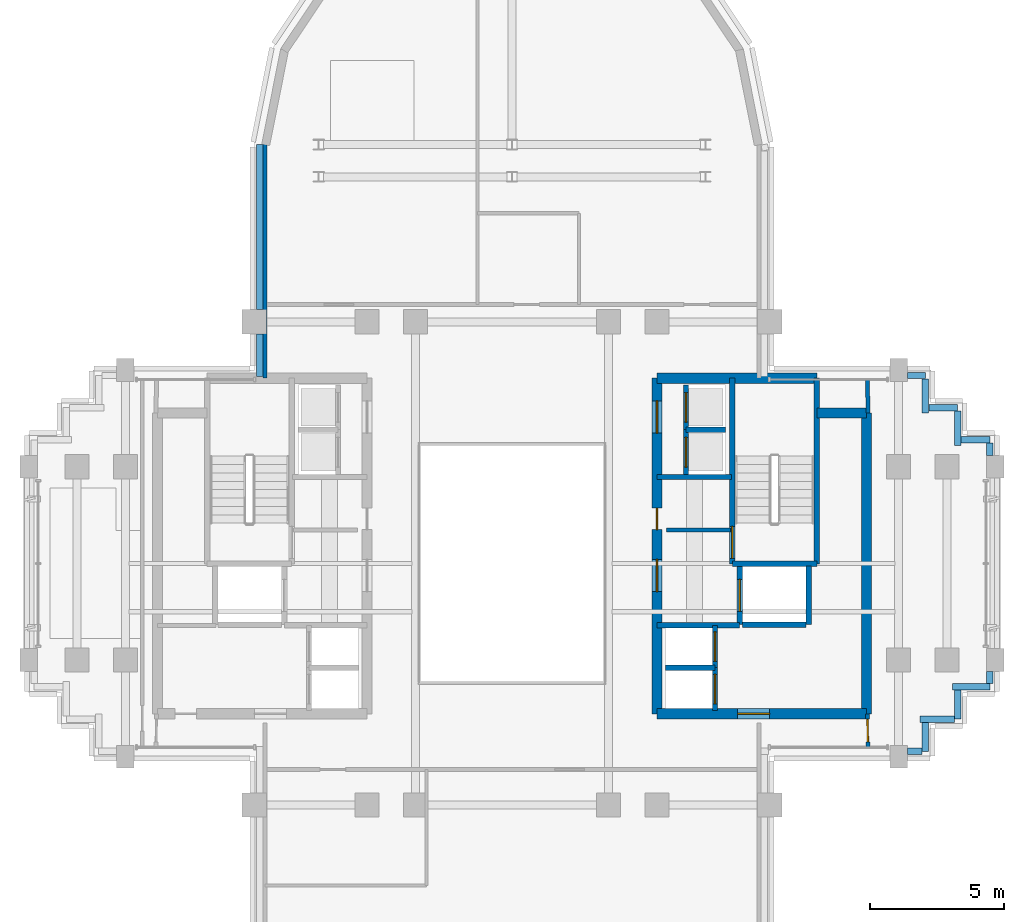
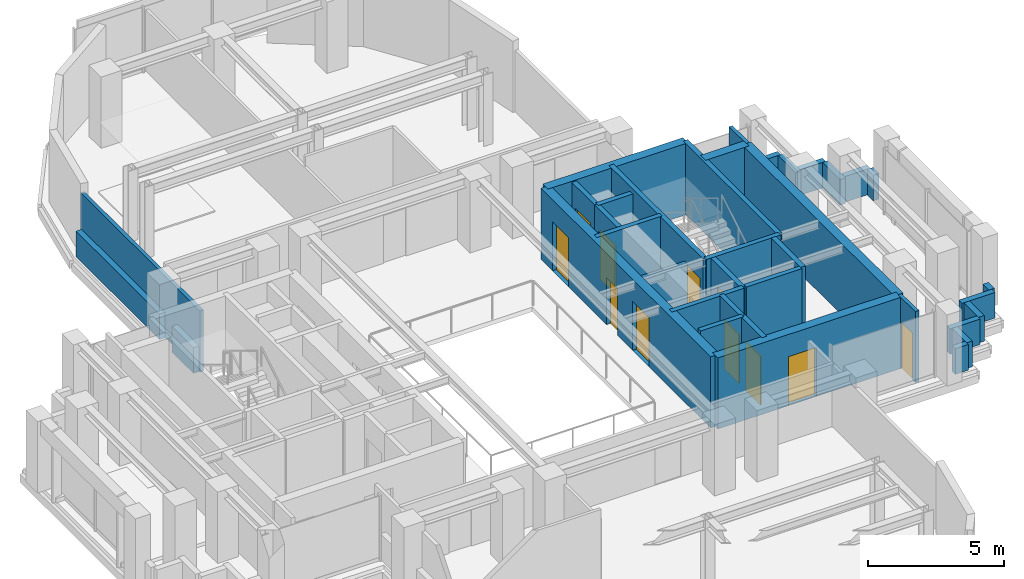
# One storey, part 7 of 12: 37 walls, 11 doors, 11 openings.
"""IFC4 building model written with IfcOpenShell, lengths in metres."""

import ifcopenshell
import ifcopenshell.guid

model = None  # the IFC model being written
_history = None  # IfcOwnerHistory: only IFC2X3 demands one
_inside = {}  # id of a spatial element -> (the spatial element, [elements in it])
_under = {}  # id of a project, library or spatial element -> (it, [spatial elements below it])
_declared = {}  # id of a project -> (the project, [libraries it declares])
_typed = {}  # id of a type object -> (the type object, [elements of that type])
_made_of = {}  # id of a material, layer set ... -> (it, [elements and type objects made of it])


def new_model(schema):
    """Start an empty IFC model of exactly this schema.

    Asked for "IFC4X3", IfcOpenShell would pick the latest addendum, in which some entities
    have other attributes; the version numbers below select the first issue.
    IFC2X3 requires an IfcOwnerHistory on every rooted entity: one is made here for all.
    """
    global model, _history
    if schema == "IFC4X3":
        model = ifcopenshell.file(schema_version=(4, 3, 0, 0))
    else:
        model = ifcopenshell.file(schema=schema)
    _inside.clear()
    _under.clear()
    _declared.clear()
    _typed.clear()
    _made_of.clear()
    _history = None
    if model.schema == "IFC2X3":
        org = make("IfcOrganization", Name="unknown")
        user = make(
            "IfcPersonAndOrganization",
            ThePerson=make("IfcPerson", FamilyName="unknown"),
            TheOrganization=org,
        )
        app = make(
            "IfcApplication",
            ApplicationDeveloper=org,
            Version="unknown",
            ApplicationFullName="unknown",
            ApplicationIdentifier="unknown",
        )
        _history = make(
            "IfcOwnerHistory",
            OwningUser=user,
            OwningApplication=app,
            ChangeAction="ADDED",
            CreationDate=0,
        )
    return model


def make(cls, **values):
    """One entity of the class cls with the attributes given. An attribute that is None is left unset."""
    return model.create_entity(
        cls, **{name: value for name, value in values.items() if value is not None}
    )


def rooted(cls, **values):
    """An entity with a GlobalId (a new one), such as an element, a storey or a relation."""
    return make(cls, GlobalId=ifcopenshell.guid.new(), OwnerHistory=_history, **values)


def si_unit(unit_type, name, prefix=None):
    """IfcSIUnit, for example si_unit("LENGTHUNIT", "METRE", prefix="MILLI")."""
    return make("IfcSIUnit", UnitType=unit_type, Prefix=prefix, Name=name)


def assignment(units):
    """IfcUnitAssignment: the units of a project."""
    return None if units is None else make("IfcUnitAssignment", Units=units)


def point(xyz):
    """IfcCartesianPoint."""
    return None if xyz is None else make("IfcCartesianPoint", Coordinates=xyz)


def direction(xyz):
    """IfcDirection."""
    return None if xyz is None else make("IfcDirection", DirectionRatios=xyz)


def frame(location, z_axis=None, x_axis=None):
    """IfcAxis2Placement3D, a coordinate frame: its origin and axes. An axis left out is left unset."""
    return make(
        "IfcAxis2Placement3D",
        Location=point(location),
        Axis=direction(z_axis),
        RefDirection=direction(x_axis),
    )


def frame_2d(location, x_axis=None):
    """IfcAxis2Placement2D, a coordinate frame in the plane: its origin and x axis."""
    return make(
        "IfcAxis2Placement2D", Location=point(location), RefDirection=direction(x_axis)
    )


def origin():
    """The frame at (0, 0, 0) with its axes left unset."""
    return frame((0.0, 0.0, 0.0))


def place(relative_to, where):
    """IfcLocalPlacement: puts the frame where relative to a parent placement (None: the world)."""
    return make(
        "IfcLocalPlacement", PlacementRelTo=relative_to, RelativePlacement=where
    )


def context(
    kind, dimensions, precision=None, world=None, true_north=None, identifier=None
):
    """IfcGeometricRepresentationContext, for example the 3D "Model" context."""
    return make(
        "IfcGeometricRepresentationContext",
        ContextIdentifier=identifier,
        ContextType=kind,
        CoordinateSpaceDimension=dimensions,
        Precision=precision,
        WorldCoordinateSystem=world,
        TrueNorth=true_north,
    )


def subcontext(parent, identifier, kind, view, scale=None):
    """IfcGeometricRepresentationSubContext, for example "Body" below "Model"."""
    return make(
        "IfcGeometricRepresentationSubContext",
        ContextIdentifier=identifier,
        ContextType=kind,
        ParentContext=parent,
        TargetScale=scale,
        TargetView=view,
    )


def project(units=None, contexts=None):
    """IfcProject with its units and contexts."""
    return rooted(
        "IfcProject",
        Name="project",
        RepresentationContexts=contexts,
        UnitsInContext=assignment(units),
    )


def spatial(cls, under=None, at=None, **own):
    """A site, building, storey or space (cls), placed at a placement, below another one or the project."""
    s = rooted(cls, ObjectPlacement=at, **own)
    if under is not None:
        _under.setdefault(under.id(), (under, []))[1].append(s)
    return s


def profile(cls, at=None, kind="AREA", **sizes):
    """A parametric profile (cls). Its sizes go by their IFC names, for example OverallWidth=200.0."""
    return make(cls, ProfileType=kind, Position=at, **sizes)


def rectangle(**sizes):
    """IfcRectangleProfileDef."""
    return profile("IfcRectangleProfileDef", **sizes)


def extrude(swept, where, along, depth):
    """IfcExtrudedAreaSolid: the profile swept, set in the frame where, extruded along a direction by depth."""
    return make(
        "IfcExtrudedAreaSolid",
        SweptArea=swept,
        Position=where,
        ExtrudedDirection=direction(along),
        Depth=depth,
    )


def shape(context_of_items, identifier, shape_type, items):
    """IfcShapeRepresentation: the items that make up one representation, for example the "Body"."""
    return make(
        "IfcShapeRepresentation",
        ContextOfItems=context_of_items,
        RepresentationIdentifier=identifier,
        RepresentationType=shape_type,
        Items=items,
    )


def source(mapping_origin, context_of_items, identifier, shape_type, items):
    """IfcRepresentationMap: a shape defined once, which mapped items show again and again."""
    return make(
        "IfcRepresentationMap",
        MappingOrigin=mapping_origin,
        MappedRepresentation=shape(context_of_items, identifier, shape_type, items),
    )


def transform(
    local_origin,
    x_axis=None,
    y_axis=None,
    z_axis=None,
    scale=None,
    scale2=None,
    scale3=None,
    uniform=True,
):
    """IfcCartesianTransformationOperator3D, or its non-uniform kind. x_axis, y_axis, z_axis: its Axis1, 2, 3."""
    if uniform:
        return make(
            "IfcCartesianTransformationOperator3D",
            Axis1=direction(x_axis),
            Axis2=direction(y_axis),
            LocalOrigin=point(local_origin),
            Scale=scale,
            Axis3=direction(z_axis),
        )
    return make(
        "IfcCartesianTransformationOperator3DnonUniform",
        Axis1=direction(x_axis),
        Axis2=direction(y_axis),
        LocalOrigin=point(local_origin),
        Scale=scale,
        Axis3=direction(z_axis),
        Scale2=scale2,
        Scale3=scale3,
    )


def mapped(mapping_source, mapping_target):
    """IfcMappedItem: shows the shape of a source again, moved by a transform."""
    return make(
        "IfcMappedItem", MappingSource=mapping_source, MappingTarget=mapping_target
    )


def material(Name=None, Category=None):
    """IfcMaterial."""
    return make("IfcMaterial", Name=Name, Category=Category)


def layer(
    of_material, thickness, ventilated=None, Name=None, Category=None, Priority=None
):
    """IfcMaterialLayer: one layer of a wall or slab, of a material (None: an air gap)."""
    return make(
        "IfcMaterialLayer",
        Material=of_material,
        LayerThickness=thickness,
        IsVentilated=ventilated,
        Name=Name,
        Category=Category,
        Priority=Priority,
    )


def layer_set(layers, Name=None):
    """IfcMaterialLayerSet."""
    return make("IfcMaterialLayerSet", MaterialLayers=layers, LayerSetName=Name)


def made_of(thing, what):
    """Note that an element or type object is made of a material, layer set ...; save() writes the relation."""
    if what is not None:
        _made_of.setdefault(what.id(), (what, []))[1].append(thing)
    return thing


def type_object(cls, material=None, **own):
    """A type object (cls), such as IfcWallType, which elements share."""
    return made_of(rooted(cls, **own), material)


def element(
    cls,
    number,
    at=None,
    inside=None,
    cuts=None,
    type_object=None,
    material=None,
    context=None,
    identifier="Body",
    shape_type=None,
    held_by="IfcProductDefinitionShape",
    body=None,
    shapes=None,
    **own,
):
    """One element of the class cls, such as IfcWall. Its Tag is "e" and its number.

    at: its placement. inside: the storey or other place that contains it. cuts: it is an
    opening in that element (IfcRelVoidsElement). A single representation is given by context,
    identifier, shape_type and body (its items); several are given by shapes. held_by: the class
    of the entity that holds the representations. save() writes the other relations.
    """
    e = rooted(cls, Tag="e%d" % number, ObjectPlacement=at, **own)
    if body is not None:
        shapes = [shape(context, identifier, shape_type, body)]
    if shapes is not None:
        e.Representation = make(held_by, Representations=shapes)
    if inside is not None:
        _inside.setdefault(inside.id(), (inside, []))[1].append(e)
    if cuts is not None:
        rooted(
            "IfcRelVoidsElement", RelatingBuildingElement=cuts, RelatedOpeningElement=e
        )
    if type_object is not None:
        _typed.setdefault(type_object.id(), (type_object, []))[1].append(e)
    return made_of(e, material)


def fill(opening, filler):
    """IfcRelFillsElement: the door or window that sits in an opening."""
    return rooted(
        "IfcRelFillsElement",
        RelatingOpeningElement=opening,
        RelatedBuildingElement=filler,
    )


def aggregate(whole, parts):
    """IfcRelAggregates: a whole, such as a stair, and the parts it consists of."""
    return rooted("IfcRelAggregates", RelatingObject=whole, RelatedObjects=parts)


def save(model, path):
    """Write the relations noted so far, then the file.

    IfcRelAggregates (storeys below a building ...), IfcRelContainedInSpatialStructure (elements
    in a storey), IfcRelDefinesByType, IfcRelAssociatesMaterial and IfcRelDeclares: one each for
    every whole, place, type object, material and project.
    """
    for whole, parts in _under.values():
        aggregate(whole, parts)
    for where, things in _inside.values():
        rooted(
            "IfcRelContainedInSpatialStructure",
            RelatedElements=things,
            RelatingStructure=where,
        )
    for kind, things in _typed.values():
        rooted("IfcRelDefinesByType", RelatedObjects=things, RelatingType=kind)
    for what, things in _made_of.values():
        rooted("IfcRelAssociatesMaterial", RelatedObjects=things, RelatingMaterial=what)
    for by, libraries in _declared.values():
        rooted("IfcRelDeclares", RelatingContext=by, RelatedDefinitions=libraries)
    model.write(path)


model = new_model("IFC4")

# Units and contexts
model_context = context("Model", 3, precision=1e-05, world=origin(), true_north=direction((0.0, 1.0)))
body_context = subcontext(model_context, "Body", "Model", "MODEL_VIEW")
ifc_project = project(units=[si_unit("LENGTHUNIT", "METRE"), si_unit("AREAUNIT", "SQUARE_METRE"), si_unit("VOLUMEUNIT", "CUBIC_METRE"), si_unit("PLANEANGLEUNIT", "RADIAN"), si_unit("MASSUNIT", "GRAM", prefix="KILO")], contexts=[model_context])

# Site, building, storey
site_placement = place(None, origin())
site = spatial("IfcSite", under=ifc_project, at=site_placement, CompositionType="ELEMENT")
building_placement = place(site_placement, origin())
building = spatial("IfcBuilding", under=site, at=building_placement, Name="Keilestroom Media Tower", CompositionType="ELEMENT")
storey_placement = place(building_placement, frame((0.0, 0.0, 177.39990234375)))
storey = spatial("IfcBuildingStorey", under=building, at=storey_placement, Name="L48", CompositionType="ELEMENT", Elevation=177.39990234375)

# Walls
ifc_material_1 = material(Name="Gypsum Plasterboard & Steel Stud", Category="steel")
ifc_layer_1 = layer(ifc_material_1, 0.14990234375)
ifc_layer_set_1 = layer_set([ifc_layer_1], Name="Gypsum Plasterboard & Steel Stud")
wall_type_1 = type_object("IfcWallType", Name="Interior-Partition-Wall-150", PredefinedType="PARTITIONING", material=ifc_layer_set_1)
wall_1_placement = place(storey_placement, frame((5.75, 1.239990234375, 0.0), z_axis=(0.0, 0.0, 1.0), x_axis=(1.0, 0.0, 0.0)))
element("IfcWall", 1, at=wall_1_placement, inside=storey, type_object=wall_type_1, Name="L48 Interior Wall WP-L48-FFE-TOP", PredefinedType="PARTITIONING", context=body_context, shape_type="SweptSolid", body=[
    extrude(rectangle(XDim=2.389892578125, YDim=0.14990234375, at=frame_2d((1.19482421875, 0.0))), origin(), (0.0, 0.0, 1.0), 2.300048828125),
])
wall_2_placement = place(storey_placement, frame((-9.199951171875, 6.89990234375, 0.0), z_axis=(0.0, 0.0, 1.0), x_axis=(0.0, 1.0, 0.0)))
element("IfcWall", 2, at=wall_2_placement, inside=storey, type_object=wall_type_1, Name="L48 Interior Wall WP-L48-NL-CHKW", PredefinedType="PARTITIONING", context=body_context, shape_type="SweptSolid", body=[
    extrude(rectangle(XDim=8.780029296875, YDim=0.14990234375, at=frame_2d((4.39013671875, 0.0))), origin(), (0.0, 0.0, 1.0), 2.75),
])
wall_3_placement = place(storey_placement, frame((13.260009765625, 5.60009765625, 0.0), z_axis=(0.0, 0.0, 1.0), x_axis=(-0.016013571389, 0.999871774545, 0.0)))
element("IfcWall", 3, at=wall_3_placement, inside=storey, type_object=wall_type_1, Name="L48 Interior Wall WP-L48-EA-ENTN", PredefinedType="PARTITIONING", context=body_context, shape_type="SweptSolid", body=[
    extrude(rectangle(XDim=1.250244140625, YDim=0.14990234375, at=frame_2d((0.625, 0.0))), origin(), (0.0, 0.0, 1.0), 3.2001953125),
])

# Wall, opening, door
wall_4_placement = place(storey_placement, frame((13.260009765625, -6.85009765625, 0.0), z_axis=(0.0, 0.0, 1.0), x_axis=(-0.016013571389, 0.999871774545, 0.0)))
wall_4 = element("IfcWall", 4, at=wall_4_placement, inside=storey, type_object=wall_type_1, Name="L48 Interior Wall WP-L48-EA-ENTS", PredefinedType="PARTITIONING", context=body_context, shape_type="SweptSolid", body=[
    extrude(rectangle(XDim=1.250244140625, YDim=0.14990234375, at=frame_2d((0.625, 0.0))), origin(), (0.0, 0.0, 1.0), 3.2001953125),
])
opening_1_placement = place(wall_4_placement, frame((0.199951171875, 0.0, 0.0)))
opening_1 = element("IfcOpeningElement", 5, at=opening_1_placement, cuts=wall_4, Name="Opening DI-05", PredefinedType="OPENING", context=body_context, shape_type="SweptSolid", body=[
    extrude(rectangle(XDim=0.85009765625, YDim=2.10009765625, at=frame_2d((0.425048828125, 1.050048828125))), frame((0.0, 0.0849609375, 0.0), z_axis=(0.0, -1.0, 0.0), x_axis=(1.0, 0.0, 0.0)), (0.0, 0.0, 1.0), 0.169921875),
])
ifc_material_2 = material(Name="Moisture-Resistant Oak Leaf", Category="wood")
door_type_1 = type_object("IfcDoorType", Name="Interior-En-Suite-And-Cupboard-Door-DI-05", OperationType="NOTDEFINED", PredefinedType="DOOR", material=ifc_material_2)
shared_shape_1 = source(origin(), body_context, "Body", "SweptSolid", [
    extrude(rectangle(XDim=0.85009765625, YDim=2.10009765625, at=frame_2d((0.425048828125, 1.050048828125))), frame((0.0, 0.02490234375, 0.0), z_axis=(0.0, -1.0, 0.0), x_axis=(1.0, 0.0, 0.0)), (0.0, 0.0, 1.0), 0.050048828125),
])
door_1_placement = place(opening_1_placement, origin())
door_1 = element("IfcDoor", 6, at=door_1_placement, inside=storey, type_object=door_type_1, Name="L48 Interior Door DI-L48-DEA-S", OperationType="SINGLE_SWING_LEFT", OverallHeight=2.10009765625, OverallWidth=0.85009765625, PredefinedType="DOOR", context=body_context, shape_type="MappedRepresentation", body=[
    mapped(shared_shape_1, transform((0.0, 0.0, 0.0), x_axis=(1.0, 0.0, 0.0), y_axis=(0.0, 1.0, 0.0), z_axis=(0.0, 0.0, 1.0), scale=1.0)),
])
fill(opening_1, door_1)

# Wall
ifc_material_3 = material(Name="Concrete C55/67", Category="concrete")
ifc_layer_2 = layer(ifc_material_3, 0.3798828125)
ifc_layer_set_2 = layer_set([ifc_layer_2], Name="Concrete C55/67")
wall_type_2 = type_object("IfcWallType", Name="Reinforced-Concrete-Core-Shear-Wall-380", PredefinedType="SHEAR", material=ifc_layer_set_2)
wall_5_placement = place(storey_placement, frame((13.199951171875, -5.60009765625, 0.0), z_axis=(0.0, 0.0, 1.0), x_axis=(0.0, 1.0, 0.0)))
element("IfcWall", 7, at=wall_5_placement, inside=storey, type_object=wall_type_2, Name="L48 Core Shear Wall WL-L48-CORE-E-OUT", PredefinedType="SHEAR", context=body_context, shape_type="SweptSolid", body=[
    extrude(rectangle(XDim=11.2001953125, YDim=0.3798828125, at=frame_2d((5.60009765625, 0.0))), origin(), (0.0, 0.0, 1.0), 3.2001953125),
])

# Wall, openings, doors
wall_6_placement = place(storey_placement, frame((5.39990234375, -5.60009765625, 0.0), z_axis=(0.0, 0.0, 1.0), x_axis=(0.0, 1.0, 0.0)))
wall_6 = element("IfcWall", 8, at=wall_6_placement, inside=storey, type_object=wall_type_2, Name="L48 Core Shear Wall WL-L48-CORE-E-IN", PredefinedType="SHEAR", context=body_context, shape_type="SweptSolid", body=[
    extrude(rectangle(XDim=12.5, YDim=0.3798828125, at=frame_2d((6.25, 0.0))), origin(), (0.0, 0.0, 1.0), 3.2001953125),
])
opening_2_placement = place(wall_6_placement, frame((4.550048828125, 0.0, 0.0)))
opening_2 = element("IfcOpeningElement", 9, at=opening_2_placement, cuts=wall_6, Name="Opening DI-02", PredefinedType="OPENING", context=body_context, shape_type="SweptSolid", body=[
    extrude(rectangle(XDim=1.199951171875, YDim=2.199951171875, at=frame_2d((0.60009765625, 1.10009765625))), frame((0.0, 0.199951171875, 0.0), z_axis=(0.0, -1.0, 0.0), x_axis=(1.0, 0.0, 0.0)), (0.0, 0.0, 1.0), 0.39990234375),
])
opening_3_placement = place(wall_6_placement, frame((10.449951171875, 0.0, 0.0)))
opening_3 = element("IfcOpeningElement", 10, at=opening_3_placement, cuts=wall_6, Name="Opening DI-02", PredefinedType="OPENING", context=body_context, shape_type="SweptSolid", body=[
    extrude(rectangle(XDim=1.199951171875, YDim=2.199951171875, at=frame_2d((0.60009765625, 1.10009765625))), frame((0.0, 0.199951171875, 0.0), z_axis=(0.0, -1.0, 0.0), x_axis=(1.0, 0.0, 0.0)), (0.0, 0.0, 1.0), 0.39990234375),
])
opening_4_placement = place(wall_6_placement, frame((6.860107421875, 0.0, 0.0)))
opening_4 = element("IfcOpeningElement", 11, at=opening_4_placement, cuts=wall_6, Name="Opening DI-06", PredefinedType="OPENING", context=body_context, shape_type="SweptSolid", body=[
    extrude(rectangle(XDim=0.800048828125, YDim=2.10009765625, at=frame_2d((0.39990234375, 1.050048828125))), frame((0.0, 0.199951171875, 0.0), z_axis=(0.0, -1.0, 0.0), x_axis=(1.0, 0.0, 0.0)), (0.0, 0.0, 1.0), 0.39990234375),
])
ifc_material_4 = material(Name="Powder-Coated Steel Fire Leaf", Category="steel")
door_type_2 = type_object("IfcDoorType", Name="Interior-Compartment-Fire-Door-DI-02", OperationType="NOTDEFINED", PredefinedType="DOOR", material=ifc_material_4)
shared_shape_2 = source(origin(), body_context, "Body", "SweptSolid", [
    extrude(rectangle(XDim=1.199951171875, YDim=2.199951171875, at=frame_2d((0.60009765625, 1.10009765625))), frame((0.0, 0.02490234375, 0.0), z_axis=(0.0, -1.0, 0.0), x_axis=(1.0, 0.0, 0.0)), (0.0, 0.0, 1.0), 0.050048828125),
])
door_2_placement = place(opening_2_placement, origin())
door_2 = element("IfcDoor", 12, at=door_2_placement, inside=storey, type_object=door_type_2, Name="L48 E Firefighting Lobby Door", OperationType="SINGLE_SWING_LEFT", OverallHeight=2.199951171875, OverallWidth=1.199951171875, PredefinedType="DOOR", context=body_context, shape_type="MappedRepresentation", body=[
    mapped(shared_shape_2, transform((0.0, 0.0, 0.0), x_axis=(1.0, 0.0, 0.0), y_axis=(0.0, 1.0, 0.0), z_axis=(0.0, 0.0, 1.0), scale=1.0)),
])
fill(opening_2, door_2)
door_3_placement = place(opening_3_placement, origin())
door_3 = element("IfcDoor", 13, at=door_3_placement, inside=storey, type_object=door_type_2, Name="L48 E High-Rise Lift Lobby Door", OperationType="SINGLE_SWING_RIGHT", OverallHeight=2.199951171875, OverallWidth=1.199951171875, PredefinedType="DOOR", context=body_context, shape_type="MappedRepresentation", body=[
    mapped(shared_shape_2, transform((0.0, 0.0, 0.0), x_axis=(1.0, 0.0, 0.0), y_axis=(0.0, 1.0, 0.0), z_axis=(0.0, 0.0, 1.0), scale=1.0)),
])
fill(opening_3, door_3)
ifc_material_5 = material(Name="Powder-Coated Steel Service Leaf", Category="steel")
door_type_3 = type_object("IfcDoorType", Name="Interior-Riser-Access-Door-DI-06", OperationType="NOTDEFINED", PredefinedType="DOOR", material=ifc_material_5)
shared_shape_3 = source(origin(), body_context, "Body", "SweptSolid", [
    extrude(rectangle(XDim=0.800048828125, YDim=2.10009765625, at=frame_2d((0.39990234375, 1.050048828125))), frame((0.0, 0.02490234375, 0.0), z_axis=(0.0, -1.0, 0.0), x_axis=(1.0, 0.0, 0.0)), (0.0, 0.0, 1.0), 0.050048828125),
])
door_4_placement = place(opening_4_placement, origin())
door_4 = element("IfcDoor", 14, at=door_4_placement, inside=storey, type_object=door_type_3, Name="L48 East Core Telecom Door", OperationType="SINGLE_SWING_RIGHT", OverallHeight=2.10009765625, OverallWidth=0.800048828125, PredefinedType="DOOR", context=body_context, shape_type="MappedRepresentation", body=[
    mapped(shared_shape_3, transform((0.0, 0.0, 0.0), x_axis=(1.0, 0.0, 0.0), y_axis=(0.0, 1.0, 0.0), z_axis=(0.0, 0.0, 1.0), scale=1.0)),
])
fill(opening_4, door_4)

# Walls
wall_7_placement = place(storey_placement, frame((5.39990234375, 6.89990234375, 0.0), z_axis=(0.0, 0.0, 1.0), x_axis=(1.0, 0.0, 0.0)))
element("IfcWall", 15, at=wall_7_placement, inside=storey, type_object=wall_type_2, Name="L48 Core Shear Wall WL-L48-CORE-E-N", PredefinedType="SHEAR", context=body_context, shape_type="SweptSolid", body=[
    extrude(rectangle(XDim=5.9560546875, YDim=0.3798828125, at=frame_2d((2.97802734375, 0.0))), origin(), (0.0, 0.0, 1.0), 3.2001953125),
])
wall_8_placement = place(storey_placement, frame((11.35595703125, 5.60009765625, 0.0), z_axis=(0.0, 0.0, 1.0), x_axis=(1.0, 0.0, 0.0)))
element("IfcWall", 16, at=wall_8_placement, inside=storey, type_object=wall_type_2, Name="L48 Core Shear Wall WL-L48-CNE-N", PredefinedType="SHEAR", context=body_context, shape_type="SweptSolid", body=[
    extrude(rectangle(XDim=1.843994140625, YDim=0.3798828125, at=frame_2d((0.921875, 0.0))), origin(), (0.0, 0.0, 1.0), 3.2001953125),
])

# Wall, opening, door
wall_9_placement = place(storey_placement, frame((5.39990234375, -5.60009765625, 0.0), z_axis=(0.0, 0.0, 1.0), x_axis=(1.0, 0.0, 0.0)))
wall_9 = element("IfcWall", 17, at=wall_9_placement, inside=storey, type_object=wall_type_2, Name="L48 Core Shear Wall WL-L48-CORE-E-S", PredefinedType="SHEAR", context=body_context, shape_type="SweptSolid", body=[
    extrude(rectangle(XDim=7.800048828125, YDim=0.3798828125, at=frame_2d((3.89990234375, 0.0))), origin(), (0.0, 0.0, 1.0), 3.2001953125),
])
opening_5_placement = place(wall_9_placement, frame((3.0, 0.0, 0.0)))
opening_5 = element("IfcOpeningElement", 18, at=opening_5_placement, cuts=wall_9, Name="Opening DI-02", PredefinedType="OPENING", context=body_context, shape_type="SweptSolid", body=[
    extrude(rectangle(XDim=1.199951171875, YDim=2.199951171875, at=frame_2d((0.60009765625, 1.10009765625))), frame((0.0, 0.199951171875, 0.0), z_axis=(0.0, -1.0, 0.0), x_axis=(1.0, 0.0, 0.0)), (0.0, 0.0, 1.0), 0.39990234375),
])
door_5_placement = place(opening_5_placement, origin())
door_5 = element("IfcDoor", 19, at=door_5_placement, inside=storey, type_object=door_type_2, Name="L48 E Passenger Lift Lobby Door", OperationType="SINGLE_SWING_RIGHT", OverallHeight=2.199951171875, OverallWidth=1.199951171875, PredefinedType="DOOR", context=body_context, shape_type="MappedRepresentation", body=[
    mapped(shared_shape_2, transform((0.0, 0.0, 0.0), x_axis=(1.0, 0.0, 0.0), y_axis=(0.0, 1.0, 0.0), z_axis=(0.0, 0.0, 1.0), scale=1.0)),
])
fill(opening_5, door_5)

# Walls
ifc_material_6 = material(Name="Concrete C50/60", Category="concrete")
ifc_layer_3 = layer(ifc_material_6, 0.199951171875)
ifc_layer_set_3 = layer_set([ifc_layer_3], Name="Concrete C50/60")
wall_type_3 = type_object("IfcWallType", Name="Reinforced-Concrete-Shaft-Wall-200", PredefinedType="SOLIDWALL", material=ifc_layer_set_3)
wall_10_placement = place(storey_placement, frame((5.39990234375, 3.219970703125, 0.0), z_axis=(0.0, 0.0, 1.0), x_axis=(1.0, 0.0, 0.0)))
element("IfcWall", 20, at=wall_10_placement, inside=storey, type_object=wall_type_3, Name="L48 Core Shear Wall WL-L48-CORE-E-FFN", PredefinedType="SOLIDWALL", context=body_context, shape_type="SweptSolid", body=[
    extrude(rectangle(XDim=2.780029296875, YDim=0.199951171875, at=frame_2d((1.39013671875, 0.0))), origin(), (0.0, 0.0, 1.0), 3.2001953125),
])
wall_11_placement = place(storey_placement, frame((5.39990234375, -2.300048828125, 0.0), z_axis=(0.0, 0.0, 1.0), x_axis=(1.0, 0.0, 0.0)))
element("IfcWall", 21, at=wall_11_placement, inside=storey, type_object=wall_type_3, Name="L48 Core Shear Wall WL-L48-CORE-E-FFS", PredefinedType="SOLIDWALL", context=body_context, shape_type="SweptSolid", body=[
    extrude(rectangle(XDim=3.080078125, YDim=0.199951171875, at=frame_2d((1.5400390625, 0.0))), origin(), (0.0, 0.0, 1.0), 3.2001953125),
])

# Wall, opening, door
wall_12_placement = place(storey_placement, frame((8.2041015625, -0.01611328125, 0.0), z_axis=(0.0, 0.0, 1.0), x_axis=(0.0, 1.0, 0.0)))
wall_12 = element("IfcWall", 22, at=wall_12_placement, inside=storey, type_object=wall_type_3, Name="L48 Core Shear Wall WL-L48-STW-E-NEAR", PredefinedType="SOLIDWALL", context=body_context, shape_type="SweptSolid", body=[
    extrude(rectangle(XDim=6.916015625, YDim=0.199951171875, at=frame_2d((3.4580078125, 0.0))), origin(), (0.0, 0.0, 1.0), 3.2001953125),
])
opening_6_placement = place(wall_12_placement, frame((0.199951171875, 0.0, 0.0)))
opening_6 = element("IfcOpeningElement", 23, at=opening_6_placement, cuts=wall_12, Name="Opening DI-01S", PredefinedType="OPENING", context=body_context, shape_type="SweptSolid", body=[
    extrude(rectangle(XDim=1.199951171875, YDim=2.199951171875, at=frame_2d((0.60009765625, 1.10009765625))), frame((0.0, 0.10986328125, 0.0), z_axis=(0.0, -1.0, 0.0), x_axis=(1.0, 0.0, 0.0)), (0.0, 0.0, 1.0), 0.219970703125),
])
door_type_4 = type_object("IfcDoorType", Name="Interior-Stair-And-Core-Fire-Door-DI-01", OperationType="NOTDEFINED", PredefinedType="DOOR", material=ifc_material_4)
door_6_placement = place(opening_6_placement, origin())
door_6 = element("IfcDoor", 24, at=door_6_placement, inside=storey, type_object=door_type_4, Name="L48 Escape Stair ST-2 Fire Door", OperationType="SINGLE_SWING_RIGHT", OverallHeight=2.199951171875, OverallWidth=1.199951171875, PredefinedType="DOOR", context=body_context, shape_type="MappedRepresentation", body=[
    mapped(shared_shape_2, transform((0.0, 0.0, 0.0), x_axis=(1.0, 0.0, 0.0), y_axis=(0.0, 1.0, 0.0), z_axis=(0.0, 0.0, 1.0), scale=1.0)),
])
fill(opening_6, door_6)

# Walls
wall_13_placement = place(storey_placement, frame((11.35595703125, -0.01611328125, 0.0), z_axis=(0.0, 0.0, 1.0), x_axis=(0.0, 1.0, 0.0)))
element("IfcWall", 25, at=wall_13_placement, inside=storey, type_object=wall_type_3, Name="L48 Core Shear Wall WL-L48-STW-E-FAR", PredefinedType="SOLIDWALL", context=body_context, shape_type="SweptSolid", body=[
    extrude(rectangle(XDim=6.916015625, YDim=0.199951171875, at=frame_2d((3.4580078125, 0.0))), origin(), (0.0, 0.0, 1.0), 3.2001953125),
])
wall_14_placement = place(storey_placement, frame((8.2041015625, -0.01611328125, 0.0), z_axis=(0.0, 0.0, 1.0), x_axis=(1.0, 0.0, 0.0)))
element("IfcWall", 26, at=wall_14_placement, inside=storey, type_object=wall_type_3, Name="L48 Core Shear Wall WL-L48-STW-E-S", PredefinedType="SOLIDWALL", context=body_context, shape_type="SweptSolid", body=[
    extrude(rectangle(XDim=3.15185546875, YDim=0.199951171875, at=frame_2d((1.575927734375, 0.0))), origin(), (0.0, 0.0, 1.0), 3.2001953125),
])

# Wall, opening, door
wall_15_placement = place(storey_placement, frame((8.47998046875, -2.280029296875, 0.0), z_axis=(0.0, 0.0, 1.0), x_axis=(0.0, 1.0, 0.0)))
wall_15 = element("IfcWall", 27, at=wall_15_placement, inside=storey, type_object=wall_type_3, Name="L48 Core Shear Wall WL-L48-LSH-FFL-2-W", PredefinedType="SOLIDWALL", context=body_context, shape_type="SweptSolid", body=[
    extrude(rectangle(XDim=2.179931640625, YDim=0.199951171875, at=frame_2d((1.08984375, 0.0))), origin(), (0.0, 0.0, 1.0), 3.2001953125),
])
opening_7_placement = place(wall_15_placement, frame((0.489990234375, 0.0, 0.0)))
opening_7 = element("IfcOpeningElement", 28, at=opening_7_placement, cuts=wall_15, Name="Opening LD-02", PredefinedType="OPENING", context=body_context, shape_type="SweptSolid", body=[
    extrude(rectangle(XDim=1.199951171875, YDim=2.199951171875, at=frame_2d((0.60009765625, 1.10009765625))), frame((0.0, 0.10986328125, 0.0), z_axis=(0.0, -1.0, 0.0), x_axis=(1.0, 0.0, 0.0)), (0.0, 0.0, 1.0), 0.219970703125),
])
ifc_material_7 = material(Name="Brushed Stainless Steel Sliding Leaf", Category="steel")
door_type_5 = type_object("IfcDoorType", Name="Lift-Landing-Sliding-Door-LD-02", OperationType="SLIDING_TO_RIGHT", PredefinedType="DOOR", material=ifc_material_7)
door_7_placement = place(opening_7_placement, origin())
door_7 = element("IfcDoor", 29, at=door_7_placement, inside=storey, type_object=door_type_5, Name="L48 Lift FFL-2 Landing Sliding Door", OperationType="SLIDING_TO_RIGHT", OverallHeight=2.199951171875, OverallWidth=1.199951171875, PredefinedType="DOOR", context=body_context, shape_type="MappedRepresentation", body=[
    mapped(shared_shape_2, transform((0.0, 0.0, 0.0), x_axis=(1.0, 0.0, 0.0), y_axis=(0.0, 1.0, 0.0), z_axis=(0.0, 0.0, 1.0), scale=1.0)),
])
fill(opening_7, door_7)

# Walls
wall_16_placement = place(storey_placement, frame((11.050048828125, -2.280029296875, 0.0), z_axis=(0.0, 0.0, 1.0), x_axis=(0.0, 1.0, 0.0)))
element("IfcWall", 30, at=wall_16_placement, inside=storey, type_object=wall_type_3, Name="L48 Core Shear Wall WL-L48-LSH-FFL-2-E", PredefinedType="SOLIDWALL", context=body_context, shape_type="SweptSolid", body=[
    extrude(rectangle(XDim=2.179931640625, YDim=0.199951171875, at=frame_2d((1.08984375, 0.0))), origin(), (0.0, 0.0, 1.0), 3.2001953125),
])
wall_17_placement = place(storey_placement, frame((8.583984375, -2.280029296875, 0.0), z_axis=(0.0, 0.0, 1.0), x_axis=(1.0, 0.0, 0.0)))
element("IfcWall", 31, at=wall_17_placement, inside=storey, type_object=wall_type_3, Name="L48 Core Shear Wall WL-L48-LSH-FFL-2-S", PredefinedType="SOLIDWALL", context=body_context, shape_type="SweptSolid", body=[
    extrude(rectangle(XDim=2.362060546875, YDim=0.199951171875, at=frame_2d((1.18115234375, 0.0))), origin(), (0.0, 0.0, 1.0), 3.2001953125),
])

# Wall, opening, door
wall_18_placement = place(storey_placement, frame((7.56005859375, -5.47998046875, 0.0), z_axis=(0.0, 0.0, 1.0), x_axis=(0.0, 1.0, 0.0)))
wall_18 = element("IfcWall", 32, at=wall_18_placement, inside=storey, type_object=wall_type_3, Name="L48 Core Shear Wall WL-L48-LSH-PL-M3-E", PredefinedType="SOLIDWALL", context=body_context, shape_type="SweptSolid", body=[
    extrude(rectangle(XDim=1.60009765625, YDim=0.199951171875, at=frame_2d((0.800048828125, 0.0))), origin(), (0.0, 0.0, 1.0), 3.2001953125),
])
opening_8_placement = place(wall_18_placement, frame((0.25, 0.0, 0.0)))
opening_8 = element("IfcOpeningElement", 33, at=opening_8_placement, cuts=wall_18, Name="Opening LD-01", PredefinedType="OPENING", context=body_context, shape_type="SweptSolid", body=[
    extrude(rectangle(XDim=1.10009765625, YDim=2.199951171875, at=frame_2d((0.550048828125, 1.10009765625))), frame((0.0, 0.10986328125, 0.0), z_axis=(0.0, -1.0, 0.0), x_axis=(1.0, 0.0, 0.0)), (0.0, 0.0, 1.0), 0.219970703125),
])
door_type_6 = type_object("IfcDoorType", Name="Lift-Landing-Sliding-Door-LD-01", OperationType="SLIDING_TO_LEFT", PredefinedType="DOOR", material=ifc_material_7)
shared_shape_4 = source(origin(), body_context, "Body", "SweptSolid", [
    extrude(rectangle(XDim=1.10009765625, YDim=2.199951171875, at=frame_2d((0.550048828125, 1.10009765625))), frame((0.0, 0.02490234375, 0.0), z_axis=(0.0, -1.0, 0.0), x_axis=(1.0, 0.0, 0.0)), (0.0, 0.0, 1.0), 0.050048828125),
])
door_8_placement = place(opening_8_placement, origin())
door_8 = element("IfcDoor", 34, at=door_8_placement, inside=storey, type_object=door_type_6, Name="L48 Lift PL-M3 Landing Sliding Door", OperationType="SLIDING_TO_LEFT", OverallHeight=2.199951171875, OverallWidth=1.10009765625, PredefinedType="DOOR", context=body_context, shape_type="MappedRepresentation", body=[
    mapped(shared_shape_4, transform((0.0, 0.0, 0.0), x_axis=(1.0, 0.0, 0.0), y_axis=(0.0, 1.0, 0.0), z_axis=(0.0, 0.0, 1.0), scale=1.0)),
])
fill(opening_8, door_8)

# Wall
wall_19_placement = place(storey_placement, frame((5.719970703125, -3.8798828125, 0.0), z_axis=(0.0, 0.0, 1.0), x_axis=(1.0, 0.0, 0.0)))
element("IfcWall", 35, at=wall_19_placement, inside=storey, type_object=wall_type_3, Name="L48 Core Shear Wall WL-L48-LSH-PL-M3-N", PredefinedType="SOLIDWALL", context=body_context, shape_type="SweptSolid", body=[
    extrude(rectangle(XDim=1.840087890625, YDim=0.199951171875, at=frame_2d((0.919921875, 0.0))), origin(), (0.0, 0.0, 1.0), 3.2001953125),
])

# Wall, opening, door
wall_20_placement = place(storey_placement, frame((7.56005859375, -3.8798828125, 0.0), z_axis=(0.0, 0.0, 1.0), x_axis=(0.0, 1.0, 0.0)))
wall_20 = element("IfcWall", 36, at=wall_20_placement, inside=storey, type_object=wall_type_3, Name="L48 Core Shear Wall WL-L48-LSH-PL-M4-E", PredefinedType="SOLIDWALL", context=body_context, shape_type="SweptSolid", body=[
    extrude(rectangle(XDim=1.559814453125, YDim=0.199951171875, at=frame_2d((0.77978515625, 0.0))), origin(), (0.0, 0.0, 1.0), 3.2001953125),
])
opening_9_placement = place(wall_20_placement, frame((0.22998046875, 0.0, 0.0)))
opening_9 = element("IfcOpeningElement", 37, at=opening_9_placement, cuts=wall_20, Name="Opening LD-01", PredefinedType="OPENING", context=body_context, shape_type="SweptSolid", body=[
    extrude(rectangle(XDim=1.10009765625, YDim=2.199951171875, at=frame_2d((0.550048828125, 1.10009765625))), frame((0.0, 0.10986328125, 0.0), z_axis=(0.0, -1.0, 0.0), x_axis=(1.0, 0.0, 0.0)), (0.0, 0.0, 1.0), 0.219970703125),
])
door_9_placement = place(opening_9_placement, origin())
door_9 = element("IfcDoor", 38, at=door_9_placement, inside=storey, type_object=door_type_6, Name="L48 Lift PL-M4 Landing Sliding Door", OperationType="SLIDING_TO_LEFT", OverallHeight=2.199951171875, OverallWidth=1.10009765625, PredefinedType="DOOR", context=body_context, shape_type="MappedRepresentation", body=[
    mapped(shared_shape_4, transform((0.0, 0.0, 0.0), x_axis=(1.0, 0.0, 0.0), y_axis=(0.0, 1.0, 0.0), z_axis=(0.0, 0.0, 1.0), scale=1.0)),
])
fill(opening_9, door_9)

wall_21_placement = place(storey_placement, frame((6.47998046875, 3.300048828125, 0.0), z_axis=(0.0, 0.0, 1.0), x_axis=(0.0, 1.0, 0.0)))
wall_21 = element("IfcWall", 39, at=wall_21_placement, inside=storey, type_object=wall_type_3, Name="L48 Core Shear Wall WL-L48-LSH-PL-H3-W", PredefinedType="SOLIDWALL", context=body_context, shape_type="SweptSolid", body=[
    extrude(rectangle(XDim=1.679931640625, YDim=0.199951171875, at=frame_2d((0.83984375, 0.0))), origin(), (0.0, 0.0, 1.0), 3.2001953125),
])
opening_10_placement = place(wall_21_placement, frame((0.2900390625, 0.0, 0.0)))
opening_10 = element("IfcOpeningElement", 40, at=opening_10_placement, cuts=wall_21, Name="Opening LD-01", PredefinedType="OPENING", context=body_context, shape_type="SweptSolid", body=[
    extrude(rectangle(XDim=1.10009765625, YDim=2.199951171875, at=frame_2d((0.550048828125, 1.10009765625))), frame((0.0, 0.10986328125, 0.0), z_axis=(0.0, -1.0, 0.0), x_axis=(1.0, 0.0, 0.0)), (0.0, 0.0, 1.0), 0.219970703125),
])
door_10_placement = place(opening_10_placement, origin())
door_10 = element("IfcDoor", 41, at=door_10_placement, inside=storey, type_object=door_type_6, Name="L48 Lift PL-H3 Landing Sliding Door", OperationType="SLIDING_TO_LEFT", OverallHeight=2.199951171875, OverallWidth=1.10009765625, PredefinedType="DOOR", context=body_context, shape_type="MappedRepresentation", body=[
    mapped(shared_shape_4, transform((0.0, 0.0, 0.0), x_axis=(1.0, 0.0, 0.0), y_axis=(0.0, 1.0, 0.0), z_axis=(0.0, 0.0, 1.0), scale=1.0)),
])
fill(opening_10, door_10)

# Wall
wall_22_placement = place(storey_placement, frame((6.47998046875, 4.97998046875, 0.0), z_axis=(0.0, 0.0, 1.0), x_axis=(1.0, 0.0, 0.0)))
element("IfcWall", 42, at=wall_22_placement, inside=storey, type_object=wall_type_3, Name="L48 Core Shear Wall WL-L48-LSH-PL-H3-N", PredefinedType="SOLIDWALL", context=body_context, shape_type="SweptSolid", body=[
    extrude(rectangle(XDim=1.469970703125, YDim=0.199951171875, at=frame_2d((0.73486328125, 0.0))), origin(), (0.0, 0.0, 1.0), 3.2001953125),
])

# Wall, opening, door
wall_23_placement = place(storey_placement, frame((6.47998046875, 4.97998046875, 0.0), z_axis=(0.0, 0.0, 1.0), x_axis=(0.0, 1.0, 0.0)))
wall_23 = element("IfcWall", 43, at=wall_23_placement, inside=storey, type_object=wall_type_3, Name="L48 Core Shear Wall WL-L48-LSH-PL-H4-W", PredefinedType="SOLIDWALL", context=body_context, shape_type="SweptSolid", body=[
    extrude(rectangle(XDim=1.669921875, YDim=0.199951171875, at=frame_2d((0.8349609375, 0.0))), origin(), (0.0, 0.0, 1.0), 3.2001953125),
])
opening_11_placement = place(wall_23_placement, frame((0.284912109375, 0.0, 0.0)))
opening_11 = element("IfcOpeningElement", 44, at=opening_11_placement, cuts=wall_23, Name="Opening LD-01", PredefinedType="OPENING", context=body_context, shape_type="SweptSolid", body=[
    extrude(rectangle(XDim=1.10009765625, YDim=2.199951171875, at=frame_2d((0.550048828125, 1.10009765625))), frame((0.0, 0.10986328125, 0.0), z_axis=(0.0, -1.0, 0.0), x_axis=(1.0, 0.0, 0.0)), (0.0, 0.0, 1.0), 0.219970703125),
])
door_11_placement = place(opening_11_placement, origin())
door_11 = element("IfcDoor", 45, at=door_11_placement, inside=storey, type_object=door_type_6, Name="L48 Lift PL-H4 Landing Sliding Door", OperationType="SLIDING_TO_LEFT", OverallHeight=2.199951171875, OverallWidth=1.10009765625, PredefinedType="DOOR", context=body_context, shape_type="MappedRepresentation", body=[
    mapped(shared_shape_4, transform((0.0, 0.0, 0.0), x_axis=(1.0, 0.0, 0.0), y_axis=(0.0, 1.0, 0.0), z_axis=(0.0, 0.0, 1.0), scale=1.0)),
])
fill(opening_11, door_11)

# Walls
ifc_material_8 = material(Name="Precast concrete C40/50", Category="concrete")
ifc_layer_4 = layer(ifc_material_8, 0.239990234375)
ifc_layer_set_4 = layer_set([ifc_layer_4], Name="Precast concrete C40/50")
wall_type_4 = type_object("IfcWallType", Name="Roof-And-Terrace-Parapet-Wall-240", PredefinedType="PARAPET", material=ifc_layer_set_4)
wall_24_placement = place(storey_placement, frame((17.800048828125, -4.60009765625, 0.0), z_axis=(0.0, 0.0, 1.0), x_axis=(-1.0, 0.0, 0.0)))
element("IfcWall", 46, at=wall_24_placement, inside=storey, type_object=wall_type_4, Name="L48 Perimeter Edge Parapet Wall 01", PredefinedType="PARAPET", context=body_context, shape_type="SweptSolid", body=[
    extrude(rectangle(XDim=1.400146484375, YDim=0.239990234375, at=frame_2d((0.7001953125, 0.0))), origin(), (0.0, 0.0, 1.0), 1.150146484375),
])
wall_25_placement = place(storey_placement, frame((16.60009765625, -4.722900390625, 0.0), z_axis=(0.0, 0.0, 1.0), x_axis=(0.0, -1.0, 0.0)))
element("IfcWall", 47, at=wall_25_placement, inside=storey, type_object=wall_type_4, Name="L48 Perimeter Edge Parapet Wall 02", PredefinedType="PARAPET", context=body_context, shape_type="SweptSolid", body=[
    extrude(rectangle(XDim=1.0771484375, YDim=0.239990234375, at=frame_2d((0.53857421875, 0.0))), origin(), (0.0, 0.0, 1.0), 1.150146484375),
])
wall_26_placement = place(storey_placement, frame((16.47705078125, -5.800048828125, 0.0), z_axis=(0.0, 0.0, 1.0), x_axis=(-1.0, 0.0, 0.0)))
element("IfcWall", 48, at=wall_26_placement, inside=storey, type_object=wall_type_4, Name="L48 Perimeter Edge Parapet Wall 03", PredefinedType="PARAPET", context=body_context, shape_type="SweptSolid", body=[
    extrude(rectangle(XDim=1.277099609375, YDim=0.239990234375, at=frame_2d((0.638671875, 0.0))), origin(), (0.0, 0.0, 1.0), 1.150146484375),
])
wall_27_placement = place(storey_placement, frame((15.39990234375, -5.923095703125, 0.0), z_axis=(0.0, 0.0, 1.0), x_axis=(0.0, -1.0, 0.0)))
element("IfcWall", 49, at=wall_27_placement, inside=storey, type_object=wall_type_4, Name="L48 Perimeter Edge Parapet Wall 04", PredefinedType="PARAPET", context=body_context, shape_type="SweptSolid", body=[
    extrude(rectangle(XDim=1.076904296875, YDim=0.239990234375, at=frame_2d((0.53857421875, 0.0))), origin(), (0.0, 0.0, 1.0), 1.150146484375),
])
wall_28_placement = place(storey_placement, frame((15.277099609375, -7.0, 0.0), z_axis=(0.0, 0.0, 1.0), x_axis=(-1.0, 0.0, 0.0)))
element("IfcWall", 50, at=wall_28_placement, inside=storey, type_object=wall_type_4, Name="L48 Perimeter Edge Parapet Wall 05", PredefinedType="PARAPET", context=body_context, shape_type="SweptSolid", body=[
    extrude(rectangle(XDim=0.549072265625, YDim=0.239990234375, at=frame_2d((0.2744140625, 0.0))), origin(), (0.0, 0.0, 1.0), 1.150146484375),
])
wall_29_placement = place(storey_placement, frame((-9.39990234375, 6.952880859375, 0.0), z_axis=(0.0, 0.0, 1.0), x_axis=(0.0, 1.0, 0.0)))
element("IfcWall", 51, at=wall_29_placement, inside=storey, type_object=wall_type_4, Name="L48 Perimeter Edge Parapet Wall 24", PredefinedType="PARAPET", context=body_context, shape_type="SweptSolid", body=[
    extrude(rectangle(XDim=1.59423828125, YDim=0.239990234375, at=frame_2d((0.797119140625, 0.0))), origin(), (0.0, 0.0, 1.0), 1.150146484375),
])
wall_30_placement = place(storey_placement, frame((-9.39990234375, 9.452880859375, 0.0), z_axis=(0.0, 0.0, 1.0), x_axis=(0.0, 1.0, 0.0)))
element("IfcWall", 52, at=wall_30_placement, inside=storey, type_object=wall_type_4, Name="L48 Perimeter Edge Parapet Wall 25", PredefinedType="PARAPET", context=body_context, shape_type="SweptSolid", body=[
    extrude(rectangle(XDim=6.14990234375, YDim=0.239990234375, at=frame_2d((3.074951171875, 0.0))), origin(), (0.0, 0.0, 1.0), 1.150146484375),
])
wall_31_placement = place(storey_placement, frame((14.72802734375, 7.0, 0.0), z_axis=(0.0, 0.0, 1.0), x_axis=(1.0, 0.0, 0.0)))
element("IfcWall", 53, at=wall_31_placement, inside=storey, type_object=wall_type_4, Name="L48 Perimeter Edge Parapet Wall 29", PredefinedType="PARAPET", context=body_context, shape_type="SweptSolid", body=[
    extrude(rectangle(XDim=0.671875, YDim=0.239990234375, at=frame_2d((0.3359375, 0.0))), origin(), (0.0, 0.0, 1.0), 1.150146484375),
])
wall_32_placement = place(storey_placement, frame((15.39990234375, 6.876953125, 0.0), z_axis=(0.0, 0.0, 1.0), x_axis=(0.0, -1.0, 0.0)))
element("IfcWall", 54, at=wall_32_placement, inside=storey, type_object=wall_type_4, Name="L48 Perimeter Edge Parapet Wall 30", PredefinedType="PARAPET", context=body_context, shape_type="SweptSolid", body=[
    extrude(rectangle(XDim=1.27685546875, YDim=0.239990234375, at=frame_2d((0.638427734375, 0.0))), origin(), (0.0, 0.0, 1.0), 1.150146484375),
])
wall_33_placement = place(storey_placement, frame((15.52294921875, 5.800048828125, 0.0), z_axis=(0.0, 0.0, 1.0), x_axis=(1.0, 0.0, 0.0)))
element("IfcWall", 55, at=wall_33_placement, inside=storey, type_object=wall_type_4, Name="L48 Perimeter Edge Parapet Wall 31", PredefinedType="PARAPET", context=body_context, shape_type="SweptSolid", body=[
    extrude(rectangle(XDim=1.0771484375, YDim=0.239990234375, at=frame_2d((0.53857421875, 0.0))), origin(), (0.0, 0.0, 1.0), 1.150146484375),
])
wall_34_placement = place(storey_placement, frame((16.60009765625, 5.677001953125, 0.0), z_axis=(0.0, 0.0, 1.0), x_axis=(0.0, -1.0, 0.0)))
element("IfcWall", 56, at=wall_34_placement, inside=storey, type_object=wall_type_4, Name="L48 Perimeter Edge Parapet Wall 32", PredefinedType="PARAPET", context=body_context, shape_type="SweptSolid", body=[
    extrude(rectangle(XDim=1.277099609375, YDim=0.239990234375, at=frame_2d((0.638671875, 0.0))), origin(), (0.0, 0.0, 1.0), 1.150146484375),
])
wall_35_placement = place(storey_placement, frame((16.722900390625, 4.60009765625, 0.0), z_axis=(0.0, 0.0, 1.0), x_axis=(1.0, 0.0, 0.0)))
element("IfcWall", 57, at=wall_35_placement, inside=storey, type_object=wall_type_4, Name="L48 Perimeter Edge Parapet Wall 33", PredefinedType="PARAPET", context=body_context, shape_type="SweptSolid", body=[
    extrude(rectangle(XDim=1.0771484375, YDim=0.239990234375, at=frame_2d((0.53857421875, 0.0))), origin(), (0.0, 0.0, 1.0), 1.150146484375),
])
for number, where, z_axis, x_axis, name in (
    (58, (17.800048828125, 4.47705078125, 0.0), (0.0, 0.0, 1.0), (0.0, -1.0, 0.0), "L48 Perimeter Edge Parapet Wall 34"),
    (59, (17.800048828125, -4.028076171875, 0.0), (0.0, 0.0, 1.0), (0.0, -1.0, 0.0), "L48 Perimeter Edge Parapet Wall 35"),
):
    element("IfcWall", number, at=place(storey_placement, frame(where, z_axis=z_axis, x_axis=x_axis)), inside=storey, type_object=wall_type_4, Name=name, PredefinedType="PARAPET", context=body_context, shape_type="SweptSolid", body=[
        extrude(rectangle(XDim=0.448974609375, YDim=0.239990234375, at=frame_2d((0.224609375, 0.0))), origin(), (0.0, 0.0, 1.0), 1.150146484375),
    ])

save(model, "model.ifc")
